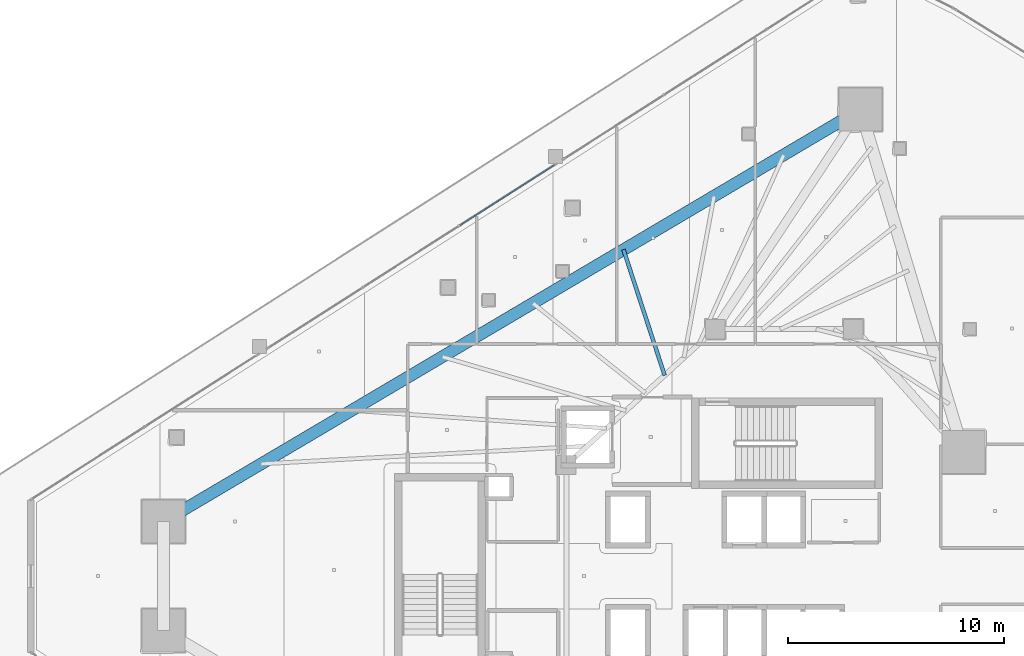
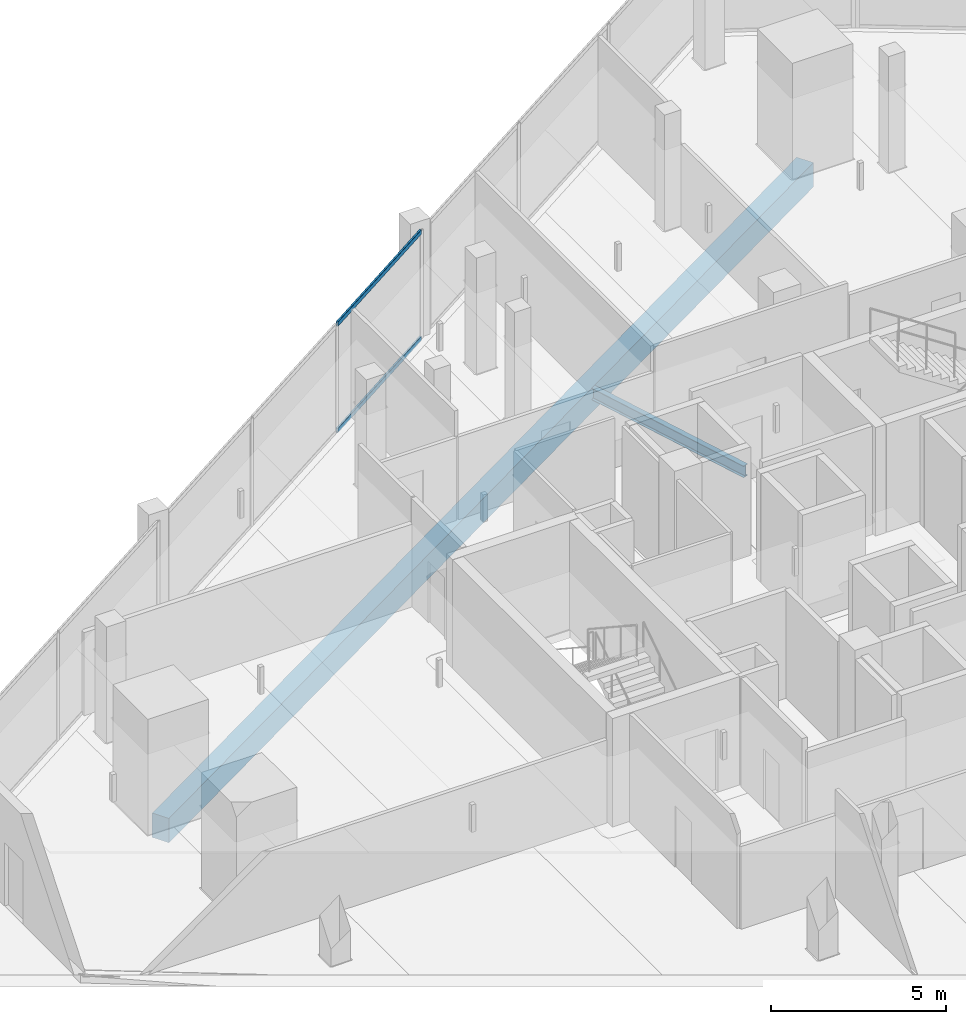
# One storey, part 17 of 37: 2 beams, 2 members, 1 element without a shape of its own.
"""IFC4 building model written with IfcOpenShell, lengths in metres."""

from ifc_helpers import new_model, si_unit, direction, frame, origin, origin_2d, place, context, subcontext, project, spatial, rectangle, hollow_rectangle, i_section, extrude, material, layer, layer_set, material_profile, profile_set, type_object, element, aggregate, save


model = new_model("IFC4")

# Units and contexts
model_context = context("Model", 3, precision=1e-05, world=origin(), true_north=direction((0.0, 1.0)))
body_context = subcontext(model_context, "Body", "Model", "MODEL_VIEW")
ifc_project = project(units=[si_unit("LENGTHUNIT", "METRE"), si_unit("AREAUNIT", "SQUARE_METRE"), si_unit("VOLUMEUNIT", "CUBIC_METRE"), si_unit("PLANEANGLEUNIT", "RADIAN"), si_unit("MASSUNIT", "GRAM", prefix="KILO")], contexts=[model_context])

# Site, building, storey
site_placement = place(None, origin())
site = spatial("IfcSite", under=ifc_project, at=site_placement, CompositionType="ELEMENT")
building_placement = place(site_placement, origin())
building = spatial("IfcBuilding", under=site, at=building_placement, Name="Qorvath Tower", CompositionType="ELEMENT")
storey_placement = place(building_placement, frame((0.0, 0.0, 184.800048828125)))
storey = spatial("IfcBuildingStorey", under=building, at=storey_placement, Name="L42", CompositionType="ELEMENT", Elevation=184.800048828125)

# Beams
ifc_material_1 = material(Name="Steel ASTM A992 Grade 50", Category="steel")
ifc_material_profile_1 = material_profile(ifc_material_1, i_section(OverallWidth=0.177978515625, OverallDepth=0.406005859375, WebThickness=0.0078125, FlangeThickness=0.0126953125, FilletRadius=0.010986328125, at=origin_2d()), Name="W16x40")
ifc_profile_set_1 = profile_set([ifc_material_profile_1], Name="Steel ASTM A992 Grade 50")
beam_type_1 = type_object("IfcBeamType", Name="BM-FJ3", PredefinedType="JOIST", material=ifc_profile_set_1)
beam_1_placement = place(storey_placement, frame((-25.946044921875, 9.30810546875, -0.47314453125), z_axis=(-0.311228747452, 0.950335028692, 0.0), x_axis=(-0.950335028692, -0.311228747452, 0.0)))
element("IfcBeam", 1, at=beam_1_placement, inside=storey, type_object=beam_type_1, Name="Composite Floor Joist NW5 L42", PredefinedType="JOIST", context=body_context, shape_type="SweptSolid", body=[
    extrude(i_section(OverallWidth=0.177978515625, OverallDepth=0.406005859375, WebThickness=0.0078125, FlangeThickness=0.0126953125, FilletRadius=0.010986328125, at=origin_2d()), origin(), (0.0, 0.0, 1.0), 6.129638671875),
])
ifc_material_2 = material(Name="Concrete C50/60", Category="concrete")
ifc_material_profile_2 = material_profile(ifc_material_2, rectangle(XDim=0.550048828125, YDim=0.85009765625, at=origin_2d()), Name="RCB 850x550")
ifc_profile_set_2 = profile_set([ifc_material_profile_2], Name="Concrete C50/60")
beam_type_2 = type_object("IfcBeamType", Name="BM-RCB2", PredefinedType="SPANDREL", material=ifc_profile_set_2)
beam_2_placement = place(storey_placement, frame((-16.87158203125, 21.627197265625, -0.695068359375), z_axis=(-0.860776759786, -0.50898268125, 0.0), x_axis=(0.50898268125, -0.860776759786, 0.0)))
element("IfcBeam", 2, at=beam_2_placement, inside=storey, type_object=beam_type_2, Name="Perimeter Loggia Frame Beam MC6-MC1 L42", PredefinedType="SPANDREL", context=body_context, shape_type="SweptSolid", body=[
    extrude(rectangle(XDim=0.550048828125, YDim=0.85009765625, at=origin_2d()), origin(), (0.0, 0.0, 1.0), 37.524658203125),
])

# Curtain wall, members
ifc_material_3 = material(Name="Anodised aluminium and triple low-E glass", Category="aluminium")
ifc_layer = layer(ifc_material_3, 0.179931640625)
ifc_layer_set = layer_set([ifc_layer], Name="CW-SYS-3")
curtain_wall_type = type_object("IfcCurtainWallType", Name="CW-SYS-3", PredefinedType="NOTDEFINED", material=ifc_layer_set)
curtain_wall_placement = place(storey_placement, origin())
curtain_wall = element("IfcCurtainWall", 3, at=curtain_wall_placement, inside=storey, type_object=curtain_wall_type, Name="Curtain Wall CW-3 CW-T-L42-16.2", PredefinedType="NOTDEFINED")
ifc_material_4 = material(Name="Anodised aluminium 6063-T6", Category="aluminium")
ifc_material_profile_3 = material_profile(ifc_material_4, hollow_rectangle(XDim=0.06494140625, YDim=0.159912109375, WallThickness=0.00341796875, InnerFilletRadius=0.00341796875, OuterFilletRadius=0.007080078125, at=origin_2d()), Name="CWT 160x65")
ifc_profile_set_3 = profile_set([ifc_material_profile_3], Name="Anodised aluminium 6063-T6")
member_type = type_object("IfcMemberType", Name="CWT-160", PredefinedType="USERDEFINED", material=ifc_profile_set_3)
member_1_placement = place(storey_placement, frame((-31.05126953125, 19.05517578125, 0.032470703125), z_axis=(-0.842623947091, -0.538502445481, 0.0), x_axis=(0.538502445481, -0.842623947091, 0.0)))
member_1 = element("IfcMember", 4, at=member_1_placement, type_object=member_type, Name="CW-3 transom 1.1", ObjectType="TRANSOM", PredefinedType="USERDEFINED", context=body_context, shape_type="SweptSolid", body=[
    extrude(hollow_rectangle(XDim=0.06494140625, YDim=0.159912109375, WallThickness=0.00341796875, InnerFilletRadius=0.00341796875, OuterFilletRadius=0.007080078125, at=origin_2d()), origin(), (0.0, 0.0, 1.0), 5.191650390625),
])
member_2_placement = place(storey_placement, frame((-31.05126953125, 19.05517578125, 3.74755859375), z_axis=(-0.842623947091, -0.538502445481, 0.0), x_axis=(0.538502445481, -0.842623947091, 0.0)))
member_2 = element("IfcMember", 5, at=member_2_placement, type_object=member_type, Name="CW-3 transom 1.2", ObjectType="TRANSOM", PredefinedType="USERDEFINED", context=body_context, shape_type="SweptSolid", body=[
    extrude(hollow_rectangle(XDim=0.06494140625, YDim=0.159912109375, WallThickness=0.00341796875, InnerFilletRadius=0.00341796875, OuterFilletRadius=0.007080078125, at=origin_2d()), origin(), (0.0, 0.0, 1.0), 5.191650390625),
])
aggregate(curtain_wall, [member_1, member_2])

save(model, "model.ifc")
